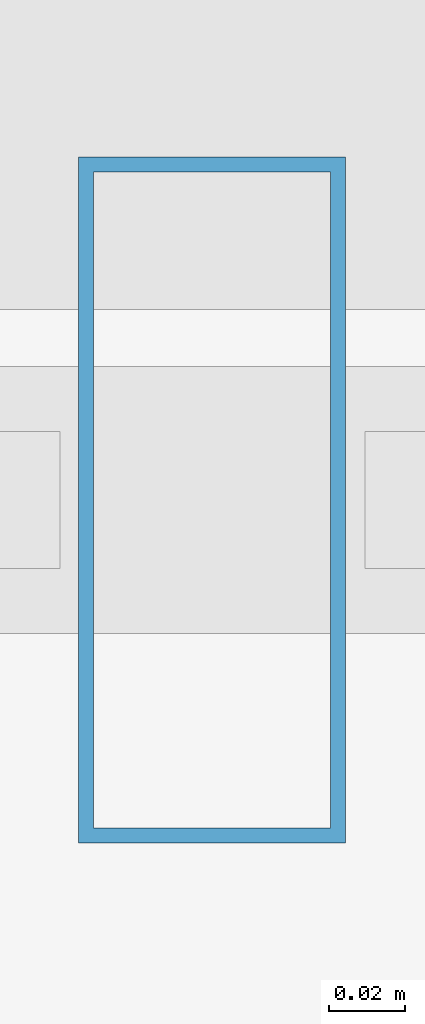
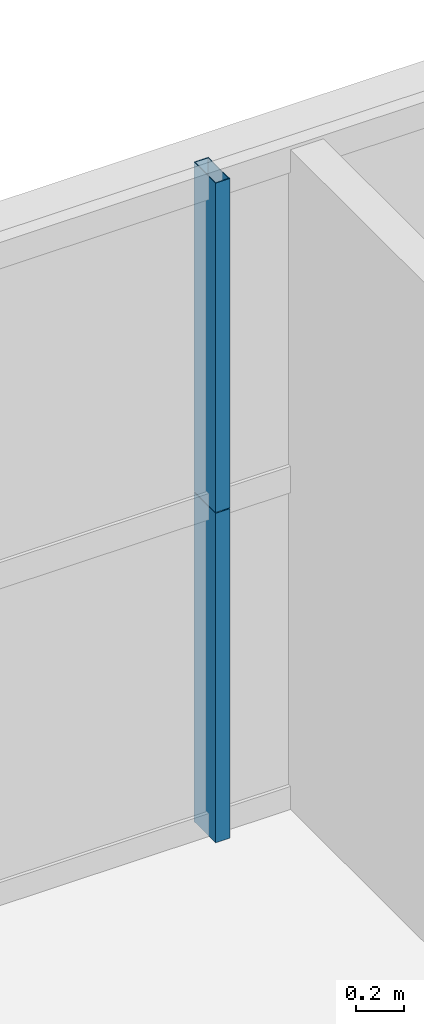
# One storey, part 28 of 43: 2 members, 1 element without a shape of its own.
"""IFC4 building model written with IfcOpenShell, lengths in metres."""

from ifc_helpers import new_model, si_unit, direction, frame, origin, origin_2d, place, context, subcontext, project, spatial, hollow_rectangle, extrude, source, transform, mapped, material, layer, layer_set, material_profile, profile_set, type_object, element, aggregate, save


model = new_model("IFC4")

# Units and contexts
model_context = context("Model", 3, precision=1e-05, world=origin(), true_north=direction((0.0, 1.0)))
body_context = subcontext(model_context, "Body", "Model", "MODEL_VIEW")
ifc_project = project(units=[si_unit("LENGTHUNIT", "METRE"), si_unit("AREAUNIT", "SQUARE_METRE"), si_unit("VOLUMEUNIT", "CUBIC_METRE"), si_unit("PLANEANGLEUNIT", "RADIAN"), si_unit("MASSUNIT", "GRAM", prefix="KILO"), si_unit("THERMODYNAMICTEMPERATUREUNIT", "KELVIN"), si_unit("POWERUNIT", "WATT")], contexts=[model_context])

# Site, building, storey
site_placement = place(None, origin())
site = spatial("IfcSite", under=ifc_project, at=site_placement, CompositionType="ELEMENT")
building_placement = place(site_placement, origin())
building = spatial("IfcBuilding", under=site, at=building_placement, Name="Yuzanri Waterfront Tower", CompositionType="ELEMENT")
storey_placement = place(building_placement, frame((0.0, 0.0, 53.199951171875)))
storey = spatial("IfcBuildingStorey", under=building, at=storey_placement, Name="L13", CompositionType="ELEMENT", Elevation=53.199951171875)

# Curtain wall, members
ifc_material_1 = material(Name="Anodized Architectural Bronze", Category="metal")
ifc_layer = layer(ifc_material_1, 0.159912109375)
ifc_layer_set = layer_set([ifc_layer], Name="Anodized Architectural Bronze")
curtain_wall_type = type_object("IfcCurtainWallType", Name="Anodized Bronze Hotel Lower-Tier Recessed Unitized Curtain Wall 8100", PredefinedType="NOTDEFINED", material=ifc_layer_set)
curtain_wall_placement = place(storey_placement, origin())
curtain_wall = element("IfcCurtainWall", 1, at=curtain_wall_placement, inside=storey, type_object=curtain_wall_type, Name="L13 Curtain Wall CW-L13-NL", PredefinedType="NOTDEFINED")
ifc_material_2 = material(Name="Anodized Architectural Bronze", Category="metal")
ifc_material_profile = material_profile(ifc_material_2, hollow_rectangle(XDim=0.070068359375, YDim=0.179931640625, WallThickness=0.00390625, at=origin_2d()), Name="CWM 70x180")
ifc_profile_set = profile_set([ifc_material_profile], Name="Anodized Architectural Bronze")
member_type = type_object("IfcMemberType", Name="Anodized Bronze Standard Curtain-Wall Mullion 70x180", PredefinedType="MULLION", material=ifc_profile_set)
shared_shape = source(origin(), body_context, "Body", "SweptSolid", [
    extrude(hollow_rectangle(XDim=0.070068359375, YDim=0.179931640625, WallThickness=0.00390625, at=origin_2d()), origin(), (0.0, 0.0, 1.0), 1.68798828125),
])
member_1_placement = place(storey_placement, frame((27.89990234375, 50.75, 0.0), z_axis=(0.0, 0.0, 1.0), x_axis=(1.0, 0.0, 0.0)))
member_1 = element("IfcMember", 2, at=member_1_placement, type_object=member_type, Name="CW-L13-NL Lower Mullion 01", PredefinedType="MULLION", context=body_context, shape_type="MappedRepresentation", body=[
    mapped(shared_shape, transform((0.0, 0.0, 0.0), scale=1.0)),
])
member_2_placement = place(storey_placement, frame((27.89990234375, 50.75, 1.692138671875), z_axis=(0.0, 0.0, 1.0), x_axis=(1.0, 0.0, 0.0)))
member_2 = element("IfcMember", 3, at=member_2_placement, type_object=member_type, Name="CW-L13-NL Upper Mullion 01", PredefinedType="MULLION", context=body_context, shape_type="MappedRepresentation", body=[
    mapped(shared_shape, transform((0.0, 0.0, 0.0), scale=1.0)),
])
aggregate(curtain_wall, [member_1, member_2])

save(model, "model.ifc")
